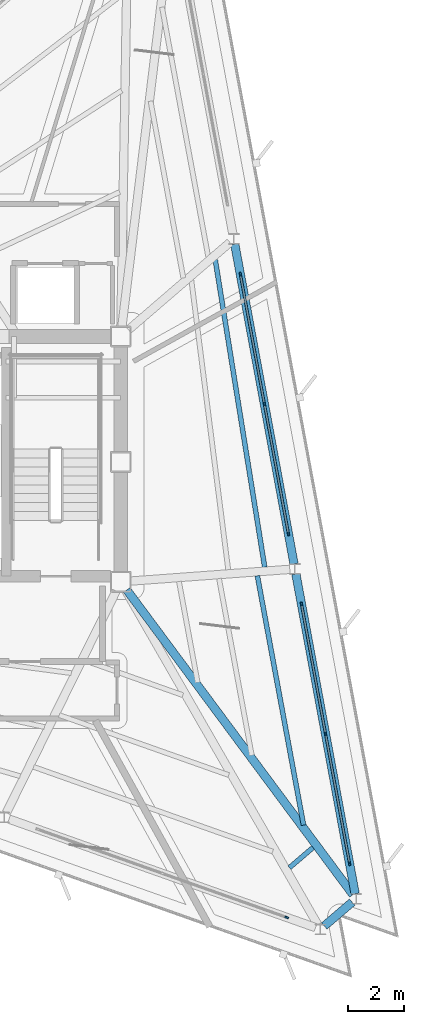
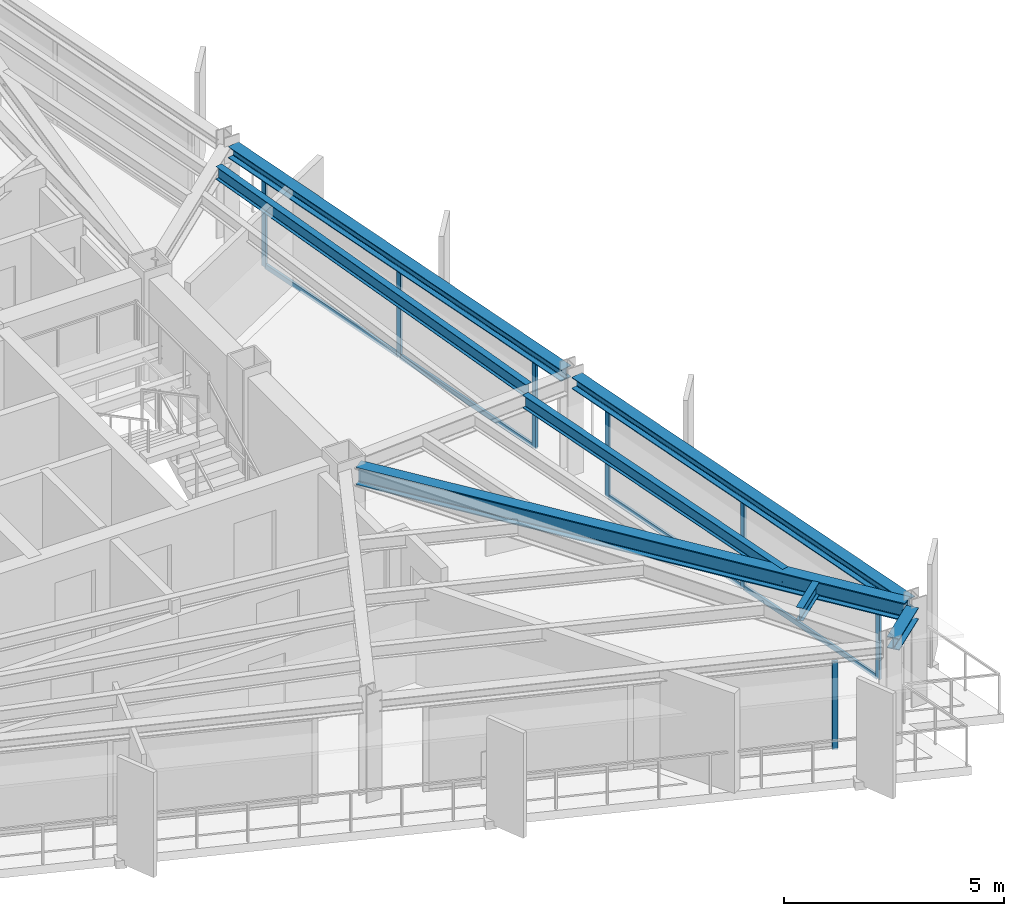
# One storey, part 6 of 14: 15 members, 7 beams, 3 elements without a shape of their own.
"""IFC4 building model written with IfcOpenShell, lengths in metres."""

import ifcopenshell
import ifcopenshell.guid

model = None  # the IFC model being written
_history = None  # IfcOwnerHistory: only IFC2X3 demands one
_inside = {}  # id of a spatial element -> (the spatial element, [elements in it])
_under = {}  # id of a project, library or spatial element -> (it, [spatial elements below it])
_declared = {}  # id of a project -> (the project, [libraries it declares])
_typed = {}  # id of a type object -> (the type object, [elements of that type])
_made_of = {}  # id of a material, layer set ... -> (it, [elements and type objects made of it])


def new_model(schema):
    """Start an empty IFC model of exactly this schema.

    Asked for "IFC4X3", IfcOpenShell would pick the latest addendum, in which some entities
    have other attributes; the version numbers below select the first issue.
    IFC2X3 requires an IfcOwnerHistory on every rooted entity: one is made here for all.
    """
    global model, _history
    if schema == "IFC4X3":
        model = ifcopenshell.file(schema_version=(4, 3, 0, 0))
    else:
        model = ifcopenshell.file(schema=schema)
    _inside.clear()
    _under.clear()
    _declared.clear()
    _typed.clear()
    _made_of.clear()
    _history = None
    if model.schema == "IFC2X3":
        org = make("IfcOrganization", Name="unknown")
        user = make(
            "IfcPersonAndOrganization",
            ThePerson=make("IfcPerson", FamilyName="unknown"),
            TheOrganization=org,
        )
        app = make(
            "IfcApplication",
            ApplicationDeveloper=org,
            Version="unknown",
            ApplicationFullName="unknown",
            ApplicationIdentifier="unknown",
        )
        _history = make(
            "IfcOwnerHistory",
            OwningUser=user,
            OwningApplication=app,
            ChangeAction="ADDED",
            CreationDate=0,
        )
    return model


def make(cls, **values):
    """One entity of the class cls with the attributes given. An attribute that is None is left unset."""
    return model.create_entity(
        cls, **{name: value for name, value in values.items() if value is not None}
    )


def rooted(cls, **values):
    """An entity with a GlobalId (a new one), such as an element, a storey or a relation."""
    return make(cls, GlobalId=ifcopenshell.guid.new(), OwnerHistory=_history, **values)


def si_unit(unit_type, name, prefix=None):
    """IfcSIUnit, for example si_unit("LENGTHUNIT", "METRE", prefix="MILLI")."""
    return make("IfcSIUnit", UnitType=unit_type, Prefix=prefix, Name=name)


def assignment(units):
    """IfcUnitAssignment: the units of a project."""
    return None if units is None else make("IfcUnitAssignment", Units=units)


def point(xyz):
    """IfcCartesianPoint."""
    return None if xyz is None else make("IfcCartesianPoint", Coordinates=xyz)


def direction(xyz):
    """IfcDirection."""
    return None if xyz is None else make("IfcDirection", DirectionRatios=xyz)


def frame(location, z_axis=None, x_axis=None):
    """IfcAxis2Placement3D, a coordinate frame: its origin and axes. An axis left out is left unset."""
    return make(
        "IfcAxis2Placement3D",
        Location=point(location),
        Axis=direction(z_axis),
        RefDirection=direction(x_axis),
    )


def frame_2d(location, x_axis=None):
    """IfcAxis2Placement2D, a coordinate frame in the plane: its origin and x axis."""
    return make(
        "IfcAxis2Placement2D", Location=point(location), RefDirection=direction(x_axis)
    )


def origin():
    """The frame at (0, 0, 0) with its axes left unset."""
    return frame((0.0, 0.0, 0.0))


def origin_2d():
    """The frame at (0, 0) in the plane with its x axis left unset."""
    return frame_2d((0.0, 0.0))


def place(relative_to, where):
    """IfcLocalPlacement: puts the frame where relative to a parent placement (None: the world)."""
    return make(
        "IfcLocalPlacement", PlacementRelTo=relative_to, RelativePlacement=where
    )


def context(
    kind, dimensions, precision=None, world=None, true_north=None, identifier=None
):
    """IfcGeometricRepresentationContext, for example the 3D "Model" context."""
    return make(
        "IfcGeometricRepresentationContext",
        ContextIdentifier=identifier,
        ContextType=kind,
        CoordinateSpaceDimension=dimensions,
        Precision=precision,
        WorldCoordinateSystem=world,
        TrueNorth=true_north,
    )


def subcontext(parent, identifier, kind, view, scale=None):
    """IfcGeometricRepresentationSubContext, for example "Body" below "Model"."""
    return make(
        "IfcGeometricRepresentationSubContext",
        ContextIdentifier=identifier,
        ContextType=kind,
        ParentContext=parent,
        TargetScale=scale,
        TargetView=view,
    )


def project(units=None, contexts=None):
    """IfcProject with its units and contexts."""
    return rooted(
        "IfcProject",
        Name="project",
        RepresentationContexts=contexts,
        UnitsInContext=assignment(units),
    )


def spatial(cls, under=None, at=None, **own):
    """A site, building, storey or space (cls), placed at a placement, below another one or the project."""
    s = rooted(cls, ObjectPlacement=at, **own)
    if under is not None:
        _under.setdefault(under.id(), (under, []))[1].append(s)
    return s


def profile(cls, at=None, kind="AREA", **sizes):
    """A parametric profile (cls). Its sizes go by their IFC names, for example OverallWidth=200.0."""
    return make(cls, ProfileType=kind, Position=at, **sizes)


def rectangle(**sizes):
    """IfcRectangleProfileDef."""
    return profile("IfcRectangleProfileDef", **sizes)


def i_section(**sizes):
    """IfcIShapeProfileDef."""
    return profile("IfcIShapeProfileDef", **sizes)


def extrude(swept, where, along, depth):
    """IfcExtrudedAreaSolid: the profile swept, set in the frame where, extruded along a direction by depth."""
    return make(
        "IfcExtrudedAreaSolid",
        SweptArea=swept,
        Position=where,
        ExtrudedDirection=direction(along),
        Depth=depth,
    )


def shape(context_of_items, identifier, shape_type, items):
    """IfcShapeRepresentation: the items that make up one representation, for example the "Body"."""
    return make(
        "IfcShapeRepresentation",
        ContextOfItems=context_of_items,
        RepresentationIdentifier=identifier,
        RepresentationType=shape_type,
        Items=items,
    )


def material(Name=None, Category=None):
    """IfcMaterial."""
    return make("IfcMaterial", Name=Name, Category=Category)


def layer(
    of_material, thickness, ventilated=None, Name=None, Category=None, Priority=None
):
    """IfcMaterialLayer: one layer of a wall or slab, of a material (None: an air gap)."""
    return make(
        "IfcMaterialLayer",
        Material=of_material,
        LayerThickness=thickness,
        IsVentilated=ventilated,
        Name=Name,
        Category=Category,
        Priority=Priority,
    )


def layer_set(layers, Name=None):
    """IfcMaterialLayerSet."""
    return make("IfcMaterialLayerSet", MaterialLayers=layers, LayerSetName=Name)


def material_profile(
    of_material, cross_section, Name=None, Category=None, Priority=None
):
    """IfcMaterialProfile: a cross section and its material."""
    return make(
        "IfcMaterialProfile",
        Name=Name,
        Material=of_material,
        Profile=cross_section,
        Priority=Priority,
        Category=Category,
    )


def profile_set(profiles, Name=None, composite=None):
    """IfcMaterialProfileSet."""
    return make(
        "IfcMaterialProfileSet",
        Name=Name,
        MaterialProfiles=profiles,
        CompositeProfile=composite,
    )


def made_of(thing, what):
    """Note that an element or type object is made of a material, layer set ...; save() writes the relation."""
    if what is not None:
        _made_of.setdefault(what.id(), (what, []))[1].append(thing)
    return thing


def type_object(cls, material=None, **own):
    """A type object (cls), such as IfcWallType, which elements share."""
    return made_of(rooted(cls, **own), material)


def element(
    cls,
    number,
    at=None,
    inside=None,
    cuts=None,
    type_object=None,
    material=None,
    context=None,
    identifier="Body",
    shape_type=None,
    held_by="IfcProductDefinitionShape",
    body=None,
    shapes=None,
    **own,
):
    """One element of the class cls, such as IfcWall. Its Tag is "e" and its number.

    at: its placement. inside: the storey or other place that contains it. cuts: it is an
    opening in that element (IfcRelVoidsElement). A single representation is given by context,
    identifier, shape_type and body (its items); several are given by shapes. held_by: the class
    of the entity that holds the representations. save() writes the other relations.
    """
    e = rooted(cls, Tag="e%d" % number, ObjectPlacement=at, **own)
    if body is not None:
        shapes = [shape(context, identifier, shape_type, body)]
    if shapes is not None:
        e.Representation = make(held_by, Representations=shapes)
    if inside is not None:
        _inside.setdefault(inside.id(), (inside, []))[1].append(e)
    if cuts is not None:
        rooted(
            "IfcRelVoidsElement", RelatingBuildingElement=cuts, RelatedOpeningElement=e
        )
    if type_object is not None:
        _typed.setdefault(type_object.id(), (type_object, []))[1].append(e)
    return made_of(e, material)


def aggregate(whole, parts):
    """IfcRelAggregates: a whole, such as a stair, and the parts it consists of."""
    return rooted("IfcRelAggregates", RelatingObject=whole, RelatedObjects=parts)


def save(model, path):
    """Write the relations noted so far, then the file.

    IfcRelAggregates (storeys below a building ...), IfcRelContainedInSpatialStructure (elements
    in a storey), IfcRelDefinesByType, IfcRelAssociatesMaterial and IfcRelDeclares: one each for
    every whole, place, type object, material and project.
    """
    for whole, parts in _under.values():
        aggregate(whole, parts)
    for where, things in _inside.values():
        rooted(
            "IfcRelContainedInSpatialStructure",
            RelatedElements=things,
            RelatingStructure=where,
        )
    for kind, things in _typed.values():
        rooted("IfcRelDefinesByType", RelatedObjects=things, RelatingType=kind)
    for what, things in _made_of.values():
        rooted("IfcRelAssociatesMaterial", RelatedObjects=things, RelatingMaterial=what)
    for by, libraries in _declared.values():
        rooted("IfcRelDeclares", RelatingContext=by, RelatedDefinitions=libraries)
    model.write(path)


model = new_model("IFC4")

# Units and contexts
model_context = context("Model", 3, precision=1e-05, world=origin(), true_north=direction((0.0, 1.0)))
body_context = subcontext(model_context, "Body", "Model", "MODEL_VIEW")
ifc_project = project(units=[si_unit("LENGTHUNIT", "METRE"), si_unit("AREAUNIT", "SQUARE_METRE"), si_unit("VOLUMEUNIT", "CUBIC_METRE"), si_unit("PLANEANGLEUNIT", "RADIAN"), si_unit("MASSUNIT", "GRAM", prefix="KILO")], contexts=[model_context])

# Site, building, storey
site_placement = place(None, origin())
site = spatial("IfcSite", under=ifc_project, at=site_placement, CompositionType="ELEMENT")
building_placement = place(site_placement, origin())
building = spatial("IfcBuilding", under=site, at=building_placement, Name="Rocaltana Carrier Exchange", CompositionType="ELEMENT")
storey_placement = place(building_placement, frame((0.0, 0.0, 181.43994140625)))
storey = spatial("IfcBuildingStorey", under=building, at=storey_placement, Name="L57", CompositionType="ELEMENT", Elevation=181.43994140625)

# Curtain wall, members
ifc_material_1 = material(Name="Aluminium 6063-T6", Category="aluminium")
ifc_layer = layer(ifc_material_1, 0.135009765625)
ifc_layer_set = layer_set([ifc_layer], Name="Aluminium 6063-T6")
curtain_wall_type = type_object("IfcCurtainWallType", Name="Upper-Mid Acoustic Curtain Wall CW-04", PredefinedType="NOTDEFINED", material=ifc_layer_set)
curtain_wall_1_placement = place(storey_placement, origin())
curtain_wall_1 = element("IfcCurtainWall", 1, at=curtain_wall_1_placement, inside=storey, type_object=curtain_wall_type, Name="L57 CW-04 Run CW-L57-F1S1", PredefinedType="NOTDEFINED")
ifc_material_2 = material(Name="Aluminium 6063-T6", Category="aluminium")
ifc_material_profile_1 = material_profile(ifc_material_2, rectangle(XDim=0.06494140625, YDim=0.135009765625, at=origin_2d()), Name="AL-65X135")
ifc_profile_set_1 = profile_set([ifc_material_profile_1], Name="Aluminium 6063-T6")
member_type_1 = type_object("IfcMemberType", Name="CW-04 Mullion AL-65X135", PredefinedType="MULLION", material=ifc_profile_set_1)
member_1_placement = place(storey_placement, frame((14.2587890625, -14.410400390625, 0.0), z_axis=(0.0, 0.0, 1.0), x_axis=(-0.98325514449, -0.182234247149, 0.0)))
member_1 = element("IfcMember", 2, at=member_1_placement, type_object=member_type_1, Name="CW-04 mullion 1", PredefinedType="MULLION", context=body_context, shape_type="SweptSolid", body=[
    extrude(rectangle(XDim=0.06494140625, YDim=0.135009765625, at=origin_2d()), origin(), (0.0, 0.0, 1.0), 2.447998046875),
])
member_2_placement = place(storey_placement, frame((13.39599609375, -9.75537109375, 0.0), z_axis=(0.0, 0.0, 1.0), x_axis=(-0.98325514449, -0.182234247149, 0.0)))
member_2 = element("IfcMember", 3, at=member_2_placement, type_object=member_type_1, Name="CW-04 mullion 2", PredefinedType="MULLION", context=body_context, shape_type="SweptSolid", body=[
    extrude(rectangle(XDim=0.06494140625, YDim=0.135009765625, at=origin_2d()), origin(), (0.0, 0.0, 1.0), 2.447998046875),
])
member_3_placement = place(storey_placement, frame((12.533203125, -5.1005859375, 0.0), z_axis=(0.0, 0.0, 1.0), x_axis=(-0.98325514449, -0.182234247149, 0.0)))
member_3 = element("IfcMember", 4, at=member_3_placement, type_object=member_type_1, Name="CW-04 mullion 3", PredefinedType="MULLION", context=body_context, shape_type="SweptSolid", body=[
    extrude(rectangle(XDim=0.06494140625, YDim=0.135009765625, at=origin_2d()), origin(), (0.0, 0.0, 1.0), 2.447998046875),
])

curtain_wall_2_placement = place(storey_placement, origin())
curtain_wall_2 = element("IfcCurtainWall", 5, at=curtain_wall_2_placement, inside=storey, type_object=curtain_wall_type, Name="L57 CW-04 Run CW-L57-F1S2", PredefinedType="NOTDEFINED")
member_4_placement = place(storey_placement, frame((12.06591796875, -2.578369140625, 0.0), z_axis=(0.0, 0.0, 1.0), x_axis=(-0.983254796134, -0.182236126712, 0.0)))
member_4 = element("IfcMember", 6, at=member_4_placement, type_object=member_type_1, Name="CW-04 mullion 1", PredefinedType="MULLION", context=body_context, shape_type="SweptSolid", body=[
    extrude(rectangle(XDim=0.06494140625, YDim=0.135009765625, at=origin_2d()), origin(), (0.0, 0.0, 1.0), 2.447998046875),
])
member_5_placement = place(storey_placement, frame((11.203125, 2.076416015625, 0.0), z_axis=(0.0, 0.0, 1.0), x_axis=(-0.983254796134, -0.182236126712, 0.0)))
member_5 = element("IfcMember", 7, at=member_5_placement, type_object=member_type_1, Name="CW-04 mullion 2", PredefinedType="MULLION", context=body_context, shape_type="SweptSolid", body=[
    extrude(rectangle(XDim=0.06494140625, YDim=0.135009765625, at=origin_2d()), origin(), (0.0, 0.0, 1.0), 2.447998046875),
])
member_6_placement = place(storey_placement, frame((10.34033203125, 6.731201171875, 0.0), z_axis=(0.0, 0.0, 1.0), x_axis=(-0.983254796134, -0.182236126712, 0.0)))
member_6 = element("IfcMember", 8, at=member_6_placement, type_object=member_type_1, Name="CW-04 mullion 3", PredefinedType="MULLION", context=body_context, shape_type="SweptSolid", body=[
    extrude(rectangle(XDim=0.06494140625, YDim=0.135009765625, at=origin_2d()), origin(), (0.0, 0.0, 1.0), 2.447998046875),
])

# Curtain wall, member
curtain_wall_3_placement = place(storey_placement, origin())
curtain_wall_3 = element("IfcCurtainWall", 9, at=curtain_wall_3_placement, inside=storey, type_object=curtain_wall_type, Name="L57 CW-04 Run CW-L57-F3S3", PredefinedType="NOTDEFINED")
member_7_placement = place(storey_placement, frame((12.00244140625, -16.33740234375, 0.0), z_axis=(0.0, 0.0, 1.0), x_axis=(0.333798791936, 0.942644347833, 0.0)))
member_7 = element("IfcMember", 10, at=member_7_placement, type_object=member_type_1, Name="CW-04 mullion 3", PredefinedType="MULLION", context=body_context, shape_type="SweptSolid", body=[
    extrude(rectangle(XDim=0.06494140625, YDim=0.135009765625, at=origin_2d()), origin(), (0.0, 0.0, 1.0), 2.447998046875),
])
aggregate(curtain_wall_3, [member_7])

# Member
ifc_material_3 = material(Name="Aluminium 6063-T6", Category="aluminium")
ifc_material_profile_2 = material_profile(ifc_material_3, rectangle(XDim=0.06494140625, YDim=0.135009765625, at=origin_2d()), Name="AL-65X135")
ifc_profile_set_2 = profile_set([ifc_material_profile_2], Name="Aluminium 6063-T6")
member_type_2 = type_object("IfcMemberType", Name="CW-04 Transom AL-65X135", PredefinedType="USERDEFINED", material=ifc_profile_set_2)
member_8_placement = place(storey_placement, frame((14.2529296875, -14.37841796875, 0.032470703125), z_axis=(-0.18227087305, 0.983248355624, 0.0), x_axis=(-0.983248355624, -0.18227087305, 0.0)))
member_8 = element("IfcMember", 11, at=member_8_placement, type_object=member_type_2, Name="CW-04 transom 1.1", ObjectType="TRANSOM", PredefinedType="USERDEFINED", context=body_context, shape_type="SweptSolid", body=[
    extrude(rectangle(XDim=0.06494140625, YDim=0.135009765625, at=origin_2d()), origin(), (0.0, 0.0, 1.0), 4.669189453125),
])

member_9_placement = place(storey_placement, frame((14.2529296875, -14.37841796875, 2.41552734375), z_axis=(-0.18227087305, 0.983248355624, 0.0), x_axis=(-0.983248355624, -0.18227087305, 0.0)))
member_9 = element("IfcMember", 12, at=member_9_placement, type_object=member_type_2, Name="CW-04 transom 1.2", ObjectType="TRANSOM", PredefinedType="USERDEFINED", context=body_context, shape_type="SweptSolid", body=[
    extrude(rectangle(XDim=0.06494140625, YDim=0.135009765625, at=origin_2d()), origin(), (0.0, 0.0, 1.0), 4.669189453125),
])

member_10_placement = place(storey_placement, frame((13.39013671875, -9.723388671875, 0.032470703125), z_axis=(-0.182229691605, 0.983255988793, 0.0), x_axis=(-0.983255988793, -0.182229691605, 0.0)))
member_10 = element("IfcMember", 13, at=member_10_placement, type_object=member_type_2, Name="CW-04 transom 2.1", ObjectType="TRANSOM", PredefinedType="USERDEFINED", context=body_context, shape_type="SweptSolid", body=[
    extrude(rectangle(XDim=0.06494140625, YDim=0.135009765625, at=origin_2d()), origin(), (0.0, 0.0, 1.0), 4.6689453125),
])

member_11_placement = place(storey_placement, frame((13.39013671875, -9.723388671875, 2.41552734375), z_axis=(-0.182229691605, 0.983255988793, 0.0), x_axis=(-0.983255988793, -0.182229691605, 0.0)))
member_11 = element("IfcMember", 14, at=member_11_placement, type_object=member_type_2, Name="CW-04 transom 2.2", ObjectType="TRANSOM", PredefinedType="USERDEFINED", context=body_context, shape_type="SweptSolid", body=[
    extrude(rectangle(XDim=0.06494140625, YDim=0.135009765625, at=origin_2d()), origin(), (0.0, 0.0, 1.0), 4.6689453125),
])

aggregate(curtain_wall_1, [member_1, member_2, member_3, member_8, member_9, member_10, member_11])

member_12_placement = place(storey_placement, frame((12.06005859375, -2.54638671875, 0.032470703125), z_axis=(-0.182280244188, 0.983246618392, 0.0), x_axis=(-0.983246618392, -0.182280244188, 0.0)))
member_12 = element("IfcMember", 15, at=member_12_placement, type_object=member_type_2, Name="CW-04 transom 1.1", ObjectType="TRANSOM", PredefinedType="USERDEFINED", context=body_context, shape_type="SweptSolid", body=[
    extrude(rectangle(XDim=0.06494140625, YDim=0.135009765625, at=origin_2d()), origin(), (0.0, 0.0, 1.0), 4.6689453125),
])

member_13_placement = place(storey_placement, frame((12.06005859375, -2.54638671875, 2.41552734375), z_axis=(-0.182280244188, 0.983246618392, 0.0), x_axis=(-0.983246618392, -0.182280244188, 0.0)))
member_13 = element("IfcMember", 16, at=member_13_placement, type_object=member_type_2, Name="CW-04 transom 1.2", ObjectType="TRANSOM", PredefinedType="USERDEFINED", context=body_context, shape_type="SweptSolid", body=[
    extrude(rectangle(XDim=0.06494140625, YDim=0.135009765625, at=origin_2d()), origin(), (0.0, 0.0, 1.0), 4.6689453125),
])

member_14_placement = place(storey_placement, frame((11.197265625, 2.1083984375, 0.032470703125), z_axis=(-0.182229691605, 0.983255988793, 0.0), x_axis=(-0.983255988793, -0.182229691605, 0.0)))
member_14 = element("IfcMember", 17, at=member_14_placement, type_object=member_type_2, Name="CW-04 transom 2.1", ObjectType="TRANSOM", PredefinedType="USERDEFINED", context=body_context, shape_type="SweptSolid", body=[
    extrude(rectangle(XDim=0.06494140625, YDim=0.135009765625, at=origin_2d()), origin(), (0.0, 0.0, 1.0), 4.6689453125),
])

member_15_placement = place(storey_placement, frame((11.197265625, 2.1083984375, 2.41552734375), z_axis=(-0.182229691605, 0.983255988793, 0.0), x_axis=(-0.983255988793, -0.182229691605, 0.0)))
member_15 = element("IfcMember", 18, at=member_15_placement, type_object=member_type_2, Name="CW-04 transom 2.2", ObjectType="TRANSOM", PredefinedType="USERDEFINED", context=body_context, shape_type="SweptSolid", body=[
    extrude(rectangle(XDim=0.06494140625, YDim=0.135009765625, at=origin_2d()), origin(), (0.0, 0.0, 1.0), 4.6689453125),
])

aggregate(curtain_wall_2, [member_4, member_5, member_6, member_12, member_13, member_14, member_15])

# Beams
ifc_material_4 = material(Name="Steel S355", Category="steel")
ifc_material_profile_3 = material_profile(ifc_material_4, i_section(OverallWidth=0.172119140625, OverallDepth=0.35791015625, WebThickness=0.0078125, FlangeThickness=0.01318359375, FilletRadius=0.011962890625, at=origin_2d()), Name="W14X38")
ifc_profile_set_3 = profile_set([ifc_material_profile_3], Name="Steel S355")
beam_type_1 = type_object("IfcBeamType", Name="Floor Joist W14X38", PredefinedType="JOIST", material=ifc_profile_set_3)
beam_1_placement = place(storey_placement, frame((12.60888671875, -13.028076171875, 2.619140625), z_axis=(-0.182235319361, 0.983254945768, 0.0), x_axis=(-0.983254945768, -0.182235319361, 0.0)))
element("IfcBeam", 19, at=beam_1_placement, inside=storey, type_object=beam_type_1, Name="FJ-L57-01-3", PredefinedType="JOIST", context=body_context, shape_type="SweptSolid", body=[
    extrude(i_section(OverallWidth=0.172119140625, OverallDepth=0.35791015625, WebThickness=0.0078125, FlangeThickness=0.01318359375, FilletRadius=0.011962890625, at=origin_2d()), origin(), (0.0, 0.0, 1.0), 9.097900390625),
])
beam_2_placement = place(storey_placement, frame((11.21435546875, -3.775634765625, 2.619140625), z_axis=(-0.158801706123, 0.987310497327, 0.0), x_axis=(-0.987310497327, -0.158801706123, 0.0)))
element("IfcBeam", 20, at=beam_2_placement, inside=storey, type_object=beam_type_1, Name="FJ-L57-02-3", PredefinedType="JOIST", context=body_context, shape_type="SweptSolid", body=[
    extrude(i_section(OverallWidth=0.172119140625, OverallDepth=0.35791015625, WebThickness=0.0078125, FlangeThickness=0.01318359375, FilletRadius=0.011962890625, at=origin_2d()), origin(), (0.0, 0.0, 1.0), 11.173828125),
])
beam_3_placement = place(storey_placement, frame((12.103515625, -14.552978515625, 2.619140625), z_axis=(0.760342005867, 0.649522928089, 0.0), x_axis=(-0.649522928089, 0.760342005867, 0.0)))
element("IfcBeam", 21, at=beam_3_placement, inside=storey, type_object=beam_type_1, Name="FJ-L57-12-3", PredefinedType="JOIST", context=body_context, shape_type="SweptSolid", body=[
    extrude(i_section(OverallWidth=0.172119140625, OverallDepth=0.35791015625, WebThickness=0.0078125, FlangeThickness=0.01318359375, FilletRadius=0.011962890625, at=origin_2d()), origin(), (0.0, 0.0, 1.0), 1.1103515625),
])
ifc_material_5 = material(Name="Steel S355", Category="steel")
ifc_material_profile_4 = material_profile(ifc_material_5, i_section(OverallWidth=0.300048828125, OverallDepth=0.320068359375, WebThickness=0.011474609375, FlangeThickness=0.0205078125, FilletRadius=0.027099609375, at=origin_2d()), Name="HEB320")
ifc_profile_set_4 = profile_set([ifc_material_profile_4], Name="Steel S355")
beam_type_2 = type_object("IfcBeamType", Name="Spandrel Edge Beam HEB320", PredefinedType="SPANDREL", material=ifc_profile_set_4)
beam_4_placement = place(storey_placement, frame((14.458740234375, -15.489013671875, 2.637939453125), z_axis=(-0.182231688163, 0.983255618763, 0.0), x_axis=(-0.983255618763, -0.182231688163, 0.0)))
element("IfcBeam", 22, at=beam_4_placement, inside=storey, type_object=beam_type_2, Name="SP-L57-01", PredefinedType="SPANDREL", context=body_context, shape_type="SweptSolid", body=[
    extrude(i_section(OverallWidth=0.300048828125, OverallDepth=0.320068359375, WebThickness=0.011474609375, FlangeThickness=0.0205078125, FilletRadius=0.027099609375, at=origin_2d()), origin(), (0.0, 0.0, 1.0), 11.662353515625),
])
beam_5_placement = place(storey_placement, frame((12.265869140625, -3.656982421875, 2.637939453125), z_axis=(-0.182255678448, 0.983251172221, 0.0), x_axis=(-0.983251172221, -0.182255678448, 0.0)))
element("IfcBeam", 23, at=beam_5_placement, inside=storey, type_object=beam_type_2, Name="SP-L57-02", PredefinedType="SPANDREL", context=body_context, shape_type="SweptSolid", body=[
    extrude(i_section(OverallWidth=0.300048828125, OverallDepth=0.320068359375, WebThickness=0.011474609375, FlangeThickness=0.0205078125, FilletRadius=0.027099609375, at=origin_2d()), origin(), (0.0, 0.0, 1.0), 11.662109375),
])
beam_6_placement = place(storey_placement, frame((13.352294921875, -16.64501953125, 2.637939453125), z_axis=(0.760488392831, 0.649351526039, 0.0), x_axis=(-0.649351526039, 0.760488392831, 0.0)))
element("IfcBeam", 24, at=beam_6_placement, inside=storey, type_object=beam_type_2, Name="SP-L57-12", PredefinedType="SPANDREL", context=body_context, shape_type="SweptSolid", body=[
    extrude(i_section(OverallWidth=0.300048828125, OverallDepth=0.320068359375, WebThickness=0.011474609375, FlangeThickness=0.0205078125, FilletRadius=0.027099609375, at=origin_2d()), origin(), (0.0, 0.0, 1.0), 1.313720703125),
])
ifc_material_6 = material(Name="Steel S355", Category="steel")
ifc_material_profile_5 = material_profile(ifc_material_6, i_section(OverallWidth=0.300048828125, OverallDepth=0.5, WebThickness=0.014404296875, FlangeThickness=0.028076171875, FilletRadius=0.027099609375, at=origin_2d()), Name="HEB500")
ifc_profile_set_5 = profile_set([ifc_material_profile_5], Name="Steel S355")
beam_type_3 = type_object("IfcBeamType", Name="Upper Radial Girder HEB500", PredefinedType="BEAM", material=ifc_profile_set_5)
beam_7_placement = place(storey_placement, frame((6.268798828125, -4.5947265625, 2.548095703125), z_axis=(0.596101049544, -0.802909421251, 0.0), x_axis=(0.802909421251, 0.596101049544, 0.0)))
element("IfcBeam", 25, at=beam_7_placement, inside=storey, type_object=beam_type_3, Name="RG-L57-01", PredefinedType="BEAM", context=body_context, shape_type="SweptSolid", body=[
    extrude(i_section(OverallWidth=0.300048828125, OverallDepth=0.5, WebThickness=0.014404296875, FlangeThickness=0.028076171875, FilletRadius=0.027099609375, at=origin_2d()), origin(), (0.0, 0.0, 1.0), 13.610107421875),
])

save(model, "model.ifc")
